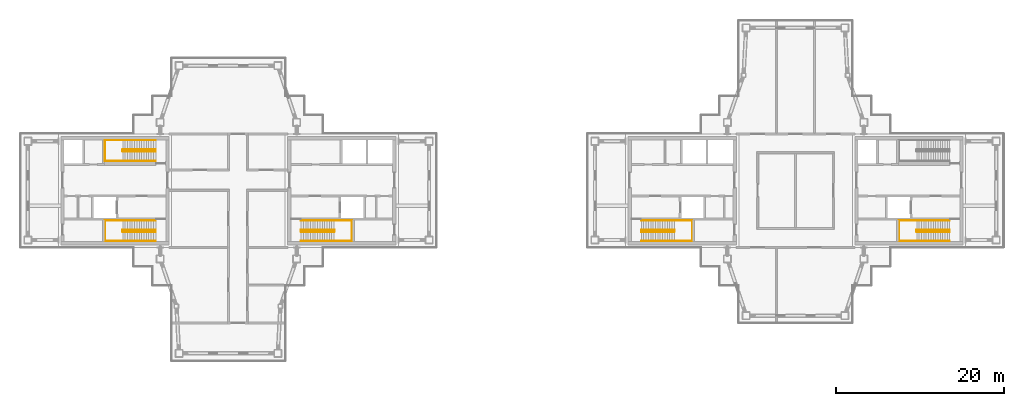
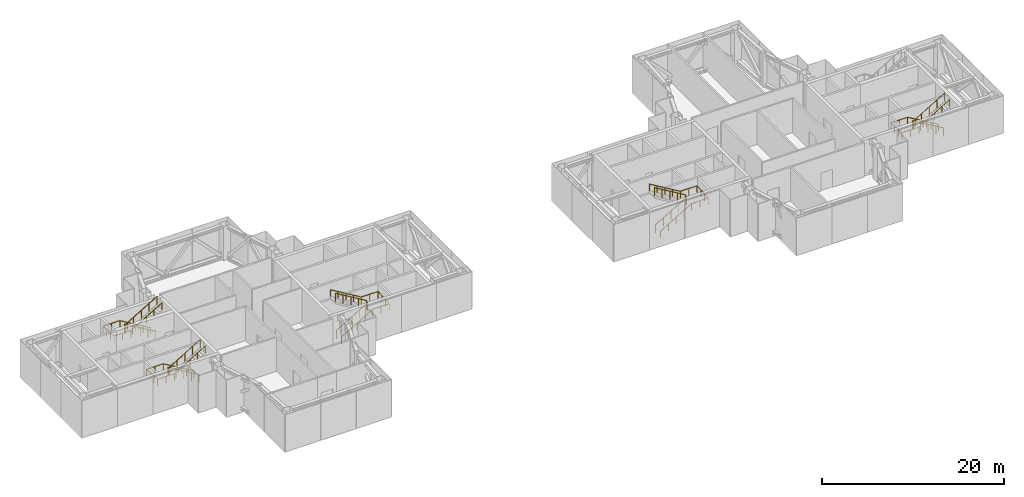
# One storey, part 17 of 18: 10 railings.
"""IFC4 building model written with IfcOpenShell, lengths in metres."""

from ifc_helpers import new_model, si_unit, direction, frame, origin, origin_2d, place, context, subcontext, project, spatial, circle, extrude, material, type_object, element, save


model = new_model("IFC4")

# Units and contexts
model_context = context("Model", 3, precision=1e-05, world=origin(), true_north=direction((0.0, 1.0)))
body_context = subcontext(model_context, "Body", "Model", "MODEL_VIEW")
ifc_project = project(units=[si_unit("LENGTHUNIT", "METRE"), si_unit("AREAUNIT", "SQUARE_METRE"), si_unit("VOLUMEUNIT", "CUBIC_METRE"), si_unit("PLANEANGLEUNIT", "RADIAN"), si_unit("MASSUNIT", "GRAM", prefix="KILO")], contexts=[model_context])

# Site, building, storey
site_placement = place(None, origin())
site = spatial("IfcSite", under=ifc_project, at=site_placement, CompositionType="ELEMENT")
building_placement = place(site_placement, origin())
building = spatial("IfcBuilding", under=site, at=building_placement, Name="Shamsa Quay Exchange Towers", CompositionType="ELEMENT")
storey_placement = place(building_placement, frame((0.0, 0.0, 273.300048828125)))
storey = spatial("IfcBuildingStorey", under=building, at=storey_placement, Name="L66", CompositionType="ELEMENT", Elevation=273.300048828125)

# Railings
ifc_material = material(Name="Stainless steel", Category="steel")
railing_type_1 = type_object("IfcRailingType", Name="STAIR GUARD 1100", PredefinedType="GUARDRAIL", material=ifc_material)
railing_1_placement = place(storey_placement, frame((-25.10009765625, -4.89990234375, 0.16650390625)))
element("IfcRailing", 1, at=railing_1_placement, inside=storey, type_object=railing_type_1, Name="L66 ST1 stair guard 1", PredefinedType="GUARDRAIL", context=body_context, shape_type="SweptSolid", body=[
    extrude(circle(Radius=0.02392578125, at=origin_2d()), frame((0.0, 0.0, 1.076171875), z_axis=(0.859286724212, 0.0, 0.511494208758), x_axis=(0.0, 1.0, 0.0)), (0.0, 0.0, 1.0), 4.56201171875),
    extrude(circle(Radius=0.02392578125, at=origin_2d()), frame((3.920166015625, 0.0, 3.40966796875), z_axis=(0.708833529934, 0.705375805398, 0.0), x_axis=(-0.705375805398, 0.708833529934, 0.0)), (0.0, 0.0, 1.0), 0.070556640625),
    extrude(circle(Radius=0.02392578125, at=origin_2d()), frame((3.97021484375, 0.0498046875, 3.40966796875), z_axis=(0.0, 1.0, 0.0), x_axis=(-1.0, 0.0, 0.0)), (0.0, 0.0, 1.0), 0.150146484375),
    extrude(circle(Radius=0.02392578125, at=origin_2d()), frame((3.97021484375, 0.199951171875, 3.40966796875), z_axis=(-0.27662974545, 0.27662974545, 0.920299933644), x_axis=(-0.707106781187, -0.707106781187, 0.0)), (0.0, 0.0, 1.0), 0.180908203125),
    extrude(circle(Radius=0.02392578125, at=origin_2d()), frame((3.920166015625, 0.25, 3.576171875), z_axis=(-0.859286724212, 0.0, 0.511494208758), x_axis=(0.0, -1.0, 0.0)), (0.0, 0.0, 1.0), 4.56201171875),
    extrude(circle(Radius=0.02099609375, at=origin_2d()), origin(), (0.0, 0.0, 1.0), 1.052001953125),
    extrude(circle(Radius=0.02099609375, at=origin_2d()), frame((0.97998046875, 0.0, 0.58349609375)), (0.0, 0.0, 1.0), 1.052001953125),
    extrude(circle(Radius=0.02099609375, at=origin_2d()), frame((1.9599609375, 0.0, 1.166748046875)), (0.0, 0.0, 1.0), 1.052001953125),
    extrude(circle(Radius=0.02099609375, at=origin_2d()), frame((2.940185546875, 0.0, 1.75)), (0.0, 0.0, 1.0), 1.052001953125),
    extrude(circle(Radius=0.02099609375, at=origin_2d()), frame((3.920166015625, 0.0, 2.33349609375)), (0.0, 0.0, 1.0), 1.052001953125),
    extrude(circle(Radius=0.02099609375, at=origin_2d()), frame((3.97021484375, 0.0498046875, 2.33349609375)), (0.0, 0.0, 1.0), 1.052001953125),
    extrude(circle(Radius=0.02099609375, at=origin_2d()), frame((3.97021484375, 0.199951171875, 2.33349609375)), (0.0, 0.0, 1.0), 1.052001953125),
    extrude(circle(Radius=0.02099609375, at=origin_2d()), frame((3.920166015625, 0.25, 2.5)), (0.0, 0.0, 1.0), 1.052001953125),
    extrude(circle(Radius=0.02099609375, at=origin_2d()), frame((2.940185546875, 0.25, 3.08349609375)), (0.0, 0.0, 1.0), 1.052001953125),
    extrude(circle(Radius=0.02099609375, at=origin_2d()), frame((1.9599609375, 0.25, 3.666748046875)), (0.0, 0.0, 1.0), 1.052001953125),
    extrude(circle(Radius=0.02099609375, at=origin_2d()), frame((0.97998046875, 0.25, 4.25)), (0.0, 0.0, 1.0), 1.052001953125),
    extrude(circle(Radius=0.02099609375, at=origin_2d()), frame((0.0, 0.25, 4.83349609375)), (0.0, 0.0, 1.0), 1.052001953125),
])
railing_2_placement = place(storey_placement, frame((-42.39990234375, -4.64990234375, 0.16650390625)))
element("IfcRailing", 2, at=railing_2_placement, inside=storey, type_object=railing_type_1, Name="L66 ST2 stair guard 1", PredefinedType="GUARDRAIL", context=body_context, shape_type="SweptSolid", body=[
    extrude(circle(Radius=0.02392578125, at=origin_2d()), frame((0.0, 0.0, 1.076171875), z_axis=(-0.859286724212, 0.0, 0.511494208758), x_axis=(0.0, -1.0, 0.0)), (0.0, 0.0, 1.0), 4.56201171875),
    extrude(circle(Radius=0.02392578125, at=origin_2d()), frame((-3.920166015625, 0.0, 3.40966796875), z_axis=(-0.707106781187, -0.707106781187, 0.0), x_axis=(0.707106781187, -0.707106781187, 0.0)), (0.0, 0.0, 1.0), 0.07080078125),
    extrude(circle(Radius=0.02392578125, at=origin_2d()), frame((-3.97021484375, -0.050048828125, 3.40966796875), z_axis=(0.0, -1.0, 0.0), x_axis=(1.0, 0.0, 0.0)), (0.0, 0.0, 1.0), 0.150146484375),
    extrude(circle(Radius=0.02392578125, at=origin_2d()), frame((-3.97021484375, -0.2001953125, 3.40966796875), z_axis=(0.276732813696, -0.275382897532, 0.920642824102), x_axis=(0.705375805398, 0.708833529934, 0.0)), (0.0, 0.0, 1.0), 0.180908203125),
    extrude(circle(Radius=0.02392578125, at=origin_2d()), frame((-3.920166015625, -0.25, 3.576171875), z_axis=(0.859286724212, 0.0, 0.511494208758), x_axis=(0.0, 1.0, 0.0)), (0.0, 0.0, 1.0), 4.56201171875),
    extrude(circle(Radius=0.02099609375, at=origin_2d()), origin(), (0.0, 0.0, 1.0), 1.052001953125),
    extrude(circle(Radius=0.02099609375, at=origin_2d()), frame((-0.97998046875, 0.0, 0.58349609375)), (0.0, 0.0, 1.0), 1.052001953125),
    extrude(circle(Radius=0.02099609375, at=origin_2d()), frame((-1.9599609375, 0.0, 1.166748046875)), (0.0, 0.0, 1.0), 1.052001953125),
    extrude(circle(Radius=0.02099609375, at=origin_2d()), frame((-2.940185546875, 0.0, 1.75)), (0.0, 0.0, 1.0), 1.052001953125),
    extrude(circle(Radius=0.02099609375, at=origin_2d()), frame((-3.920166015625, 0.0, 2.33349609375)), (0.0, 0.0, 1.0), 1.052001953125),
    extrude(circle(Radius=0.02099609375, at=origin_2d()), frame((-3.97021484375, -0.050048828125, 2.33349609375)), (0.0, 0.0, 1.0), 1.052001953125),
    extrude(circle(Radius=0.02099609375, at=origin_2d()), frame((-3.97021484375, -0.2001953125, 2.33349609375)), (0.0, 0.0, 1.0), 1.052001953125),
    extrude(circle(Radius=0.02099609375, at=origin_2d()), frame((-3.920166015625, -0.25, 2.5)), (0.0, 0.0, 1.0), 1.052001953125),
    extrude(circle(Radius=0.02099609375, at=origin_2d()), frame((-2.940185546875, -0.25, 3.08349609375)), (0.0, 0.0, 1.0), 1.052001953125),
    extrude(circle(Radius=0.02099609375, at=origin_2d()), frame((-1.9599609375, -0.25, 3.666748046875)), (0.0, 0.0, 1.0), 1.052001953125),
    extrude(circle(Radius=0.02099609375, at=origin_2d()), frame((-0.97998046875, -0.25, 4.25)), (0.0, 0.0, 1.0), 1.052001953125),
    extrude(circle(Radius=0.02099609375, at=origin_2d()), frame((0.0, -0.25, 4.83349609375)), (0.0, 0.0, 1.0), 1.052001953125),
])
railing_3_placement = place(storey_placement, frame((-42.39990234375, 4.89990234375, 0.16650390625)))
element("IfcRailing", 3, at=railing_3_placement, inside=storey, type_object=railing_type_1, Name="L66 ST3 stair guard 1", PredefinedType="GUARDRAIL", context=body_context, shape_type="SweptSolid", body=[
    extrude(circle(Radius=0.02392578125, at=origin_2d()), frame((0.0, 0.0, 1.076171875), z_axis=(-0.859286724212, 0.0, 0.511494208758), x_axis=(0.0, -1.0, 0.0)), (0.0, 0.0, 1.0), 4.56201171875),
    extrude(circle(Radius=0.02392578125, at=origin_2d()), frame((-3.920166015625, 0.0, 3.40966796875), z_axis=(-0.708833529934, -0.705375805398, 0.0), x_axis=(0.705375805398, -0.708833529934, 0.0)), (0.0, 0.0, 1.0), 0.070556640625),
    extrude(circle(Radius=0.02392578125, at=origin_2d()), frame((-3.97021484375, -0.0498046875, 3.40966796875), z_axis=(0.0, -1.0, 0.0), x_axis=(1.0, 0.0, 0.0)), (0.0, 0.0, 1.0), 0.150146484375),
    extrude(circle(Radius=0.02392578125, at=origin_2d()), frame((-3.97021484375, -0.199951171875, 3.40966796875), z_axis=(0.27662974545, -0.27662974545, 0.920299933644), x_axis=(0.707106781187, 0.707106781187, 0.0)), (0.0, 0.0, 1.0), 0.180908203125),
    extrude(circle(Radius=0.02392578125, at=origin_2d()), frame((-3.920166015625, -0.25, 3.576171875), z_axis=(0.859286724212, 0.0, 0.511494208758), x_axis=(0.0, 1.0, 0.0)), (0.0, 0.0, 1.0), 4.56201171875),
    extrude(circle(Radius=0.02099609375, at=origin_2d()), origin(), (0.0, 0.0, 1.0), 1.052001953125),
    extrude(circle(Radius=0.02099609375, at=origin_2d()), frame((-0.97998046875, 0.0, 0.58349609375)), (0.0, 0.0, 1.0), 1.052001953125),
    extrude(circle(Radius=0.02099609375, at=origin_2d()), frame((-1.9599609375, 0.0, 1.166748046875)), (0.0, 0.0, 1.0), 1.052001953125),
    extrude(circle(Radius=0.02099609375, at=origin_2d()), frame((-2.940185546875, 0.0, 1.75)), (0.0, 0.0, 1.0), 1.052001953125),
    extrude(circle(Radius=0.02099609375, at=origin_2d()), frame((-3.920166015625, 0.0, 2.33349609375)), (0.0, 0.0, 1.0), 1.052001953125),
    extrude(circle(Radius=0.02099609375, at=origin_2d()), frame((-3.97021484375, -0.0498046875, 2.33349609375)), (0.0, 0.0, 1.0), 1.052001953125),
    extrude(circle(Radius=0.02099609375, at=origin_2d()), frame((-3.97021484375, -0.199951171875, 2.33349609375)), (0.0, 0.0, 1.0), 1.052001953125),
    extrude(circle(Radius=0.02099609375, at=origin_2d()), frame((-3.920166015625, -0.25, 2.5)), (0.0, 0.0, 1.0), 1.052001953125),
    extrude(circle(Radius=0.02099609375, at=origin_2d()), frame((-2.940185546875, -0.25, 3.08349609375)), (0.0, 0.0, 1.0), 1.052001953125),
    extrude(circle(Radius=0.02099609375, at=origin_2d()), frame((-1.9599609375, -0.25, 3.666748046875)), (0.0, 0.0, 1.0), 1.052001953125),
    extrude(circle(Radius=0.02099609375, at=origin_2d()), frame((-0.97998046875, -0.25, 4.25)), (0.0, 0.0, 1.0), 1.052001953125),
    extrude(circle(Radius=0.02099609375, at=origin_2d()), frame((0.0, -0.25, 4.83349609375)), (0.0, 0.0, 1.0), 1.052001953125),
])
railing_4_placement = place(storey_placement, frame((15.39990234375, -4.89990234375, 0.16650390625)))
element("IfcRailing", 4, at=railing_4_placement, inside=storey, type_object=railing_type_1, Name="L66 ST4 stair guard 1", PredefinedType="GUARDRAIL", context=body_context, shape_type="SweptSolid", body=[
    extrude(circle(Radius=0.02392578125, at=origin_2d()), frame((0.0, 0.0, 1.076171875), z_axis=(0.859286724212, 0.0, 0.511494208758), x_axis=(0.0, 1.0, 0.0)), (0.0, 0.0, 1.0), 4.56201171875),
    extrude(circle(Radius=0.02392578125, at=origin_2d()), frame((3.920166015625, 0.0, 3.40966796875), z_axis=(0.708833529934, 0.705375805398, 0.0), x_axis=(-0.705375805398, 0.708833529934, 0.0)), (0.0, 0.0, 1.0), 0.070556640625),
    extrude(circle(Radius=0.02392578125, at=origin_2d()), frame((3.97021484375, 0.0498046875, 3.40966796875), z_axis=(0.0, 1.0, 0.0), x_axis=(-1.0, 0.0, 0.0)), (0.0, 0.0, 1.0), 0.150146484375),
    extrude(circle(Radius=0.02392578125, at=origin_2d()), frame((3.97021484375, 0.199951171875, 3.40966796875), z_axis=(-0.27662974545, 0.27662974545, 0.920299933644), x_axis=(-0.707106781187, -0.707106781187, 0.0)), (0.0, 0.0, 1.0), 0.180908203125),
    extrude(circle(Radius=0.02392578125, at=origin_2d()), frame((3.920166015625, 0.25, 3.576171875), z_axis=(-0.859286724212, 0.0, 0.511494208758), x_axis=(0.0, -1.0, 0.0)), (0.0, 0.0, 1.0), 4.56201171875),
    extrude(circle(Radius=0.02099609375, at=origin_2d()), origin(), (0.0, 0.0, 1.0), 1.052001953125),
    extrude(circle(Radius=0.02099609375, at=origin_2d()), frame((0.97998046875, 0.0, 0.58349609375)), (0.0, 0.0, 1.0), 1.052001953125),
    extrude(circle(Radius=0.02099609375, at=origin_2d()), frame((1.9599609375, 0.0, 1.166748046875)), (0.0, 0.0, 1.0), 1.052001953125),
    extrude(circle(Radius=0.02099609375, at=origin_2d()), frame((2.940185546875, 0.0, 1.75)), (0.0, 0.0, 1.0), 1.052001953125),
    extrude(circle(Radius=0.02099609375, at=origin_2d()), frame((3.920166015625, 0.0, 2.33349609375)), (0.0, 0.0, 1.0), 1.052001953125),
    extrude(circle(Radius=0.02099609375, at=origin_2d()), frame((3.97021484375, 0.0498046875, 2.33349609375)), (0.0, 0.0, 1.0), 1.052001953125),
    extrude(circle(Radius=0.02099609375, at=origin_2d()), frame((3.97021484375, 0.199951171875, 2.33349609375)), (0.0, 0.0, 1.0), 1.052001953125),
    extrude(circle(Radius=0.02099609375, at=origin_2d()), frame((3.920166015625, 0.25, 2.5)), (0.0, 0.0, 1.0), 1.052001953125),
    extrude(circle(Radius=0.02099609375, at=origin_2d()), frame((2.940185546875, 0.25, 3.08349609375)), (0.0, 0.0, 1.0), 1.052001953125),
    extrude(circle(Radius=0.02099609375, at=origin_2d()), frame((1.9599609375, 0.25, 3.666748046875)), (0.0, 0.0, 1.0), 1.052001953125),
    extrude(circle(Radius=0.02099609375, at=origin_2d()), frame((0.97998046875, 0.25, 4.25)), (0.0, 0.0, 1.0), 1.052001953125),
    extrude(circle(Radius=0.02099609375, at=origin_2d()), frame((0.0, 0.25, 4.83349609375)), (0.0, 0.0, 1.0), 1.052001953125),
])
railing_5_placement = place(storey_placement, frame((52.10009765625, -4.64990234375, 0.16650390625)))
element("IfcRailing", 5, at=railing_5_placement, inside=storey, type_object=railing_type_1, Name="L66 ST5 stair guard 1", PredefinedType="GUARDRAIL", context=body_context, shape_type="SweptSolid", body=[
    extrude(circle(Radius=0.02392578125, at=origin_2d()), frame((0.0, 0.0, 1.076171875), z_axis=(-0.859286724212, 0.0, 0.511494208758), x_axis=(0.0, -1.0, 0.0)), (0.0, 0.0, 1.0), 4.56201171875),
    extrude(circle(Radius=0.02392578125, at=origin_2d()), frame((-3.920166015625, 0.0, 3.40966796875), z_axis=(-0.707106781187, -0.707106781187, 0.0), x_axis=(0.707106781187, -0.707106781187, 0.0)), (0.0, 0.0, 1.0), 0.07080078125),
    extrude(circle(Radius=0.02392578125, at=origin_2d()), frame((-3.97021484375, -0.050048828125, 3.40966796875), z_axis=(0.0, -1.0, 0.0), x_axis=(1.0, 0.0, 0.0)), (0.0, 0.0, 1.0), 0.150146484375),
    extrude(circle(Radius=0.02392578125, at=origin_2d()), frame((-3.97021484375, -0.2001953125, 3.40966796875), z_axis=(0.276732813696, -0.275382897532, 0.920642824102), x_axis=(0.705375805398, 0.708833529934, 0.0)), (0.0, 0.0, 1.0), 0.180908203125),
    extrude(circle(Radius=0.02392578125, at=origin_2d()), frame((-3.920166015625, -0.25, 3.576171875), z_axis=(0.859286724212, 0.0, 0.511494208758), x_axis=(0.0, 1.0, 0.0)), (0.0, 0.0, 1.0), 4.56201171875),
    extrude(circle(Radius=0.02099609375, at=origin_2d()), origin(), (0.0, 0.0, 1.0), 1.052001953125),
    extrude(circle(Radius=0.02099609375, at=origin_2d()), frame((-0.97998046875, 0.0, 0.58349609375)), (0.0, 0.0, 1.0), 1.052001953125),
    extrude(circle(Radius=0.02099609375, at=origin_2d()), frame((-1.9599609375, 0.0, 1.166748046875)), (0.0, 0.0, 1.0), 1.052001953125),
    extrude(circle(Radius=0.02099609375, at=origin_2d()), frame((-2.940185546875, 0.0, 1.75)), (0.0, 0.0, 1.0), 1.052001953125),
    extrude(circle(Radius=0.02099609375, at=origin_2d()), frame((-3.920166015625, 0.0, 2.33349609375)), (0.0, 0.0, 1.0), 1.052001953125),
    extrude(circle(Radius=0.02099609375, at=origin_2d()), frame((-3.97021484375, -0.050048828125, 2.33349609375)), (0.0, 0.0, 1.0), 1.052001953125),
    extrude(circle(Radius=0.02099609375, at=origin_2d()), frame((-3.97021484375, -0.2001953125, 2.33349609375)), (0.0, 0.0, 1.0), 1.052001953125),
    extrude(circle(Radius=0.02099609375, at=origin_2d()), frame((-3.920166015625, -0.25, 2.5)), (0.0, 0.0, 1.0), 1.052001953125),
    extrude(circle(Radius=0.02099609375, at=origin_2d()), frame((-2.940185546875, -0.25, 3.08349609375)), (0.0, 0.0, 1.0), 1.052001953125),
    extrude(circle(Radius=0.02099609375, at=origin_2d()), frame((-1.9599609375, -0.25, 3.666748046875)), (0.0, 0.0, 1.0), 1.052001953125),
    extrude(circle(Radius=0.02099609375, at=origin_2d()), frame((-0.97998046875, -0.25, 4.25)), (0.0, 0.0, 1.0), 1.052001953125),
    extrude(circle(Radius=0.02099609375, at=origin_2d()), frame((0.0, -0.25, 4.83349609375)), (0.0, 0.0, 1.0), 1.052001953125),
])
railing_type_2 = type_object("IfcRailingType", Name="STAIR HANDRAIL 900", PredefinedType="HANDRAIL", material=ifc_material)
railing_6_placement = place(storey_placement, frame((-25.10009765625, -6.0, 0.16650390625)))
element("IfcRailing", 6, at=railing_6_placement, inside=storey, type_object=railing_type_2, Name="L66 ST1 stair handrail 1", PredefinedType="HANDRAIL", context=body_context, shape_type="SweptSolid", body=[
    extrude(circle(Radius=0.02392578125, at=origin_2d()), frame((0.0, 0.0, 0.8759765625), z_axis=(0.859286724212, 0.0, 0.511494208758), x_axis=(0.0, 1.0, 0.0)), (0.0, 0.0, 1.0), 4.56201171875),
    extrude(circle(Radius=0.02392578125, at=origin_2d()), frame((3.920166015625, 0.0, 3.20947265625), z_axis=(1.0, 0.0, 0.0), x_axis=(0.0, 1.0, 0.0)), (0.0, 0.0, 1.0), 2.1298828125),
    extrude(circle(Radius=0.02392578125, at=origin_2d()), frame((6.050048828125, 0.0, 3.20947265625), z_axis=(0.0, 0.997698543772, 0.067805720663), x_axis=(-1.0, 0.0, 0.0)), (0.0, 0.0, 1.0), 2.45556640625),
    extrude(circle(Radius=0.02392578125, at=origin_2d()), frame((6.050048828125, 2.449951171875, 3.3759765625), z_axis=(-1.0, 0.0, 0.0), x_axis=(0.0, -1.0, 0.0)), (0.0, 0.0, 1.0), 2.1298828125),
    extrude(circle(Radius=0.02392578125, at=origin_2d()), frame((3.920166015625, 2.449951171875, 3.3759765625), z_axis=(-0.859286724212, 0.0, 0.511494208758), x_axis=(0.0, -1.0, 0.0)), (0.0, 0.0, 1.0), 4.56201171875),
    extrude(circle(Radius=0.02099609375, at=origin_2d()), origin(), (0.0, 0.0, 1.0), 0.851806640625),
    extrude(circle(Radius=0.02099609375, at=origin_2d()), frame((0.97998046875, 0.0, 0.58349609375)), (0.0, 0.0, 1.0), 0.851806640625),
    extrude(circle(Radius=0.02099609375, at=origin_2d()), frame((1.9599609375, 0.0, 1.166748046875)), (0.0, 0.0, 1.0), 0.851806640625),
    extrude(circle(Radius=0.02099609375, at=origin_2d()), frame((2.940185546875, 0.0, 1.75)), (0.0, 0.0, 1.0), 0.851806640625),
    extrude(circle(Radius=0.02099609375, at=origin_2d()), frame((3.920166015625, 0.0, 2.33349609375)), (0.0, 0.0, 1.0), 0.851806640625),
    extrude(circle(Radius=0.02099609375, at=origin_2d()), frame((4.985107421875, 0.0, 2.33349609375)), (0.0, 0.0, 1.0), 0.851806640625),
    extrude(circle(Radius=0.02099609375, at=origin_2d()), frame((6.050048828125, 0.0, 2.33349609375)), (0.0, 0.0, 1.0), 0.851806640625),
    extrude(circle(Radius=0.02099609375, at=origin_2d()), frame((6.050048828125, 0.816650390625, 2.388916015625)), (0.0, 0.0, 1.0), 0.851806640625),
    extrude(circle(Radius=0.02099609375, at=origin_2d()), frame((6.050048828125, 1.63330078125, 2.444580078125)), (0.0, 0.0, 1.0), 0.851806640625),
    extrude(circle(Radius=0.02099609375, at=origin_2d()), frame((6.050048828125, 2.449951171875, 2.5)), (0.0, 0.0, 1.0), 0.851806640625),
    extrude(circle(Radius=0.02099609375, at=origin_2d()), frame((4.985107421875, 2.449951171875, 2.5)), (0.0, 0.0, 1.0), 0.851806640625),
    extrude(circle(Radius=0.02099609375, at=origin_2d()), frame((3.920166015625, 2.449951171875, 2.5)), (0.0, 0.0, 1.0), 0.851806640625),
    extrude(circle(Radius=0.02099609375, at=origin_2d()), frame((2.940185546875, 2.449951171875, 3.08349609375)), (0.0, 0.0, 1.0), 0.851806640625),
    extrude(circle(Radius=0.02099609375, at=origin_2d()), frame((1.9599609375, 2.449951171875, 3.666748046875)), (0.0, 0.0, 1.0), 0.851806640625),
    extrude(circle(Radius=0.02099609375, at=origin_2d()), frame((0.97998046875, 2.449951171875, 4.25)), (0.0, 0.0, 1.0), 0.851806640625),
    extrude(circle(Radius=0.02099609375, at=origin_2d()), frame((0.0, 2.449951171875, 4.83349609375)), (0.0, 0.0, 1.0), 0.851806640625),
])
railing_7_placement = place(storey_placement, frame((-42.39990234375, -3.550048828125, 0.16650390625)))
element("IfcRailing", 7, at=railing_7_placement, inside=storey, type_object=railing_type_2, Name="L66 ST2 stair handrail 1", PredefinedType="HANDRAIL", context=body_context, shape_type="SweptSolid", body=[
    extrude(circle(Radius=0.02392578125, at=origin_2d()), frame((0.0, 0.0, 0.8759765625), z_axis=(-0.859286724212, 0.0, 0.511494208758), x_axis=(0.0, -1.0, 0.0)), (0.0, 0.0, 1.0), 4.56201171875),
    extrude(circle(Radius=0.02392578125, at=origin_2d()), frame((-3.920166015625, 0.0, 3.20947265625), z_axis=(-1.0, 0.0, 0.0), x_axis=(0.0, -1.0, 0.0)), (0.0, 0.0, 1.0), 2.1298828125),
    extrude(circle(Radius=0.02392578125, at=origin_2d()), frame((-6.050048828125, 0.0, 3.20947265625), z_axis=(0.0, -0.997698543772, 0.067805720663), x_axis=(1.0, 0.0, 0.0)), (0.0, 0.0, 1.0), 2.45556640625),
    extrude(circle(Radius=0.02392578125, at=origin_2d()), frame((-6.050048828125, -2.449951171875, 3.3759765625), z_axis=(1.0, 0.0, 0.0), x_axis=(0.0, 1.0, 0.0)), (0.0, 0.0, 1.0), 2.1298828125),
    extrude(circle(Radius=0.02392578125, at=origin_2d()), frame((-3.920166015625, -2.449951171875, 3.3759765625), z_axis=(0.859286724212, 0.0, 0.511494208758), x_axis=(0.0, 1.0, 0.0)), (0.0, 0.0, 1.0), 4.56201171875),
    extrude(circle(Radius=0.02099609375, at=origin_2d()), origin(), (0.0, 0.0, 1.0), 0.851806640625),
    extrude(circle(Radius=0.02099609375, at=origin_2d()), frame((-0.97998046875, 0.0, 0.58349609375)), (0.0, 0.0, 1.0), 0.851806640625),
    extrude(circle(Radius=0.02099609375, at=origin_2d()), frame((-1.9599609375, 0.0, 1.166748046875)), (0.0, 0.0, 1.0), 0.851806640625),
    extrude(circle(Radius=0.02099609375, at=origin_2d()), frame((-2.940185546875, 0.0, 1.75)), (0.0, 0.0, 1.0), 0.851806640625),
    extrude(circle(Radius=0.02099609375, at=origin_2d()), frame((-3.920166015625, 0.0, 2.33349609375)), (0.0, 0.0, 1.0), 0.851806640625),
    extrude(circle(Radius=0.02099609375, at=origin_2d()), frame((-4.985107421875, 0.0, 2.33349609375)), (0.0, 0.0, 1.0), 0.851806640625),
    extrude(circle(Radius=0.02099609375, at=origin_2d()), frame((-6.050048828125, 0.0, 2.33349609375)), (0.0, 0.0, 1.0), 0.851806640625),
    extrude(circle(Radius=0.02099609375, at=origin_2d()), frame((-6.050048828125, -0.816650390625, 2.388916015625)), (0.0, 0.0, 1.0), 0.851806640625),
    extrude(circle(Radius=0.02099609375, at=origin_2d()), frame((-6.050048828125, -1.63330078125, 2.444580078125)), (0.0, 0.0, 1.0), 0.851806640625),
    extrude(circle(Radius=0.02099609375, at=origin_2d()), frame((-6.050048828125, -2.449951171875, 2.5)), (0.0, 0.0, 1.0), 0.851806640625),
    extrude(circle(Radius=0.02099609375, at=origin_2d()), frame((-4.985107421875, -2.449951171875, 2.5)), (0.0, 0.0, 1.0), 0.851806640625),
    extrude(circle(Radius=0.02099609375, at=origin_2d()), frame((-3.920166015625, -2.449951171875, 2.5)), (0.0, 0.0, 1.0), 0.851806640625),
    extrude(circle(Radius=0.02099609375, at=origin_2d()), frame((-2.940185546875, -2.449951171875, 3.08349609375)), (0.0, 0.0, 1.0), 0.851806640625),
    extrude(circle(Radius=0.02099609375, at=origin_2d()), frame((-1.9599609375, -2.449951171875, 3.666748046875)), (0.0, 0.0, 1.0), 0.851806640625),
    extrude(circle(Radius=0.02099609375, at=origin_2d()), frame((-0.97998046875, -2.449951171875, 4.25)), (0.0, 0.0, 1.0), 0.851806640625),
    extrude(circle(Radius=0.02099609375, at=origin_2d()), frame((0.0, -2.449951171875, 4.83349609375)), (0.0, 0.0, 1.0), 0.851806640625),
])
railing_8_placement = place(storey_placement, frame((-42.39990234375, 6.0, 0.16650390625)))
element("IfcRailing", 8, at=railing_8_placement, inside=storey, type_object=railing_type_2, Name="L66 ST3 stair handrail 1", PredefinedType="HANDRAIL", context=body_context, shape_type="SweptSolid", body=[
    extrude(circle(Radius=0.02392578125, at=origin_2d()), frame((0.0, 0.0, 0.8759765625), z_axis=(-0.859286724212, 0.0, 0.511494208758), x_axis=(0.0, -1.0, 0.0)), (0.0, 0.0, 1.0), 4.56201171875),
    extrude(circle(Radius=0.02392578125, at=origin_2d()), frame((-3.920166015625, 0.0, 3.20947265625), z_axis=(-1.0, 0.0, 0.0), x_axis=(0.0, -1.0, 0.0)), (0.0, 0.0, 1.0), 2.1298828125),
    extrude(circle(Radius=0.02392578125, at=origin_2d()), frame((-6.050048828125, 0.0, 3.20947265625), z_axis=(0.0, -0.997698543772, 0.067805720663), x_axis=(1.0, 0.0, 0.0)), (0.0, 0.0, 1.0), 2.45556640625),
    extrude(circle(Radius=0.02392578125, at=origin_2d()), frame((-6.050048828125, -2.449951171875, 3.3759765625), z_axis=(1.0, 0.0, 0.0), x_axis=(0.0, 1.0, 0.0)), (0.0, 0.0, 1.0), 2.1298828125),
    extrude(circle(Radius=0.02392578125, at=origin_2d()), frame((-3.920166015625, -2.449951171875, 3.3759765625), z_axis=(0.859286724212, 0.0, 0.511494208758), x_axis=(0.0, 1.0, 0.0)), (0.0, 0.0, 1.0), 4.56201171875),
    extrude(circle(Radius=0.02099609375, at=origin_2d()), origin(), (0.0, 0.0, 1.0), 0.851806640625),
    extrude(circle(Radius=0.02099609375, at=origin_2d()), frame((-0.97998046875, 0.0, 0.58349609375)), (0.0, 0.0, 1.0), 0.851806640625),
    extrude(circle(Radius=0.02099609375, at=origin_2d()), frame((-1.9599609375, 0.0, 1.166748046875)), (0.0, 0.0, 1.0), 0.851806640625),
    extrude(circle(Radius=0.02099609375, at=origin_2d()), frame((-2.940185546875, 0.0, 1.75)), (0.0, 0.0, 1.0), 0.851806640625),
    extrude(circle(Radius=0.02099609375, at=origin_2d()), frame((-3.920166015625, 0.0, 2.33349609375)), (0.0, 0.0, 1.0), 0.851806640625),
    extrude(circle(Radius=0.02099609375, at=origin_2d()), frame((-4.985107421875, 0.0, 2.33349609375)), (0.0, 0.0, 1.0), 0.851806640625),
    extrude(circle(Radius=0.02099609375, at=origin_2d()), frame((-6.050048828125, 0.0, 2.33349609375)), (0.0, 0.0, 1.0), 0.851806640625),
    extrude(circle(Radius=0.02099609375, at=origin_2d()), frame((-6.050048828125, -0.816650390625, 2.388916015625)), (0.0, 0.0, 1.0), 0.851806640625),
    extrude(circle(Radius=0.02099609375, at=origin_2d()), frame((-6.050048828125, -1.63330078125, 2.444580078125)), (0.0, 0.0, 1.0), 0.851806640625),
    extrude(circle(Radius=0.02099609375, at=origin_2d()), frame((-6.050048828125, -2.449951171875, 2.5)), (0.0, 0.0, 1.0), 0.851806640625),
    extrude(circle(Radius=0.02099609375, at=origin_2d()), frame((-4.985107421875, -2.449951171875, 2.5)), (0.0, 0.0, 1.0), 0.851806640625),
    extrude(circle(Radius=0.02099609375, at=origin_2d()), frame((-3.920166015625, -2.449951171875, 2.5)), (0.0, 0.0, 1.0), 0.851806640625),
    extrude(circle(Radius=0.02099609375, at=origin_2d()), frame((-2.940185546875, -2.449951171875, 3.08349609375)), (0.0, 0.0, 1.0), 0.851806640625),
    extrude(circle(Radius=0.02099609375, at=origin_2d()), frame((-1.9599609375, -2.449951171875, 3.666748046875)), (0.0, 0.0, 1.0), 0.851806640625),
    extrude(circle(Radius=0.02099609375, at=origin_2d()), frame((-0.97998046875, -2.449951171875, 4.25)), (0.0, 0.0, 1.0), 0.851806640625),
    extrude(circle(Radius=0.02099609375, at=origin_2d()), frame((0.0, -2.449951171875, 4.83349609375)), (0.0, 0.0, 1.0), 0.851806640625),
])
railing_9_placement = place(storey_placement, frame((15.39990234375, -6.0, 0.16650390625)))
element("IfcRailing", 9, at=railing_9_placement, inside=storey, type_object=railing_type_2, Name="L66 ST4 stair handrail 1", PredefinedType="HANDRAIL", context=body_context, shape_type="SweptSolid", body=[
    extrude(circle(Radius=0.02392578125, at=origin_2d()), frame((0.0, 0.0, 0.8759765625), z_axis=(0.859286724212, 0.0, 0.511494208758), x_axis=(0.0, 1.0, 0.0)), (0.0, 0.0, 1.0), 4.56201171875),
    extrude(circle(Radius=0.02392578125, at=origin_2d()), frame((3.920166015625, 0.0, 3.20947265625), z_axis=(1.0, 0.0, 0.0), x_axis=(0.0, 1.0, 0.0)), (0.0, 0.0, 1.0), 2.1298828125),
    extrude(circle(Radius=0.02392578125, at=origin_2d()), frame((6.050048828125, 0.0, 3.20947265625), z_axis=(0.0, 0.997698543772, 0.067805720663), x_axis=(-1.0, 0.0, 0.0)), (0.0, 0.0, 1.0), 2.45556640625),
    extrude(circle(Radius=0.02392578125, at=origin_2d()), frame((6.050048828125, 2.449951171875, 3.3759765625), z_axis=(-1.0, 0.0, 0.0), x_axis=(0.0, -1.0, 0.0)), (0.0, 0.0, 1.0), 2.1298828125),
    extrude(circle(Radius=0.02392578125, at=origin_2d()), frame((3.920166015625, 2.449951171875, 3.3759765625), z_axis=(-0.859286724212, 0.0, 0.511494208758), x_axis=(0.0, -1.0, 0.0)), (0.0, 0.0, 1.0), 4.56201171875),
    extrude(circle(Radius=0.02099609375, at=origin_2d()), origin(), (0.0, 0.0, 1.0), 0.851806640625),
    extrude(circle(Radius=0.02099609375, at=origin_2d()), frame((0.97998046875, 0.0, 0.58349609375)), (0.0, 0.0, 1.0), 0.851806640625),
    extrude(circle(Radius=0.02099609375, at=origin_2d()), frame((1.9599609375, 0.0, 1.166748046875)), (0.0, 0.0, 1.0), 0.851806640625),
    extrude(circle(Radius=0.02099609375, at=origin_2d()), frame((2.940185546875, 0.0, 1.75)), (0.0, 0.0, 1.0), 0.851806640625),
    extrude(circle(Radius=0.02099609375, at=origin_2d()), frame((3.920166015625, 0.0, 2.33349609375)), (0.0, 0.0, 1.0), 0.851806640625),
    extrude(circle(Radius=0.02099609375, at=origin_2d()), frame((4.985107421875, 0.0, 2.33349609375)), (0.0, 0.0, 1.0), 0.851806640625),
    extrude(circle(Radius=0.02099609375, at=origin_2d()), frame((6.050048828125, 0.0, 2.33349609375)), (0.0, 0.0, 1.0), 0.851806640625),
    extrude(circle(Radius=0.02099609375, at=origin_2d()), frame((6.050048828125, 0.816650390625, 2.388916015625)), (0.0, 0.0, 1.0), 0.851806640625),
    extrude(circle(Radius=0.02099609375, at=origin_2d()), frame((6.050048828125, 1.63330078125, 2.444580078125)), (0.0, 0.0, 1.0), 0.851806640625),
    extrude(circle(Radius=0.02099609375, at=origin_2d()), frame((6.050048828125, 2.449951171875, 2.5)), (0.0, 0.0, 1.0), 0.851806640625),
    extrude(circle(Radius=0.02099609375, at=origin_2d()), frame((4.985107421875, 2.449951171875, 2.5)), (0.0, 0.0, 1.0), 0.851806640625),
    extrude(circle(Radius=0.02099609375, at=origin_2d()), frame((3.920166015625, 2.449951171875, 2.5)), (0.0, 0.0, 1.0), 0.851806640625),
    extrude(circle(Radius=0.02099609375, at=origin_2d()), frame((2.940185546875, 2.449951171875, 3.08349609375)), (0.0, 0.0, 1.0), 0.851806640625),
    extrude(circle(Radius=0.02099609375, at=origin_2d()), frame((1.9599609375, 2.449951171875, 3.666748046875)), (0.0, 0.0, 1.0), 0.851806640625),
    extrude(circle(Radius=0.02099609375, at=origin_2d()), frame((0.97998046875, 2.449951171875, 4.25)), (0.0, 0.0, 1.0), 0.851806640625),
    extrude(circle(Radius=0.02099609375, at=origin_2d()), frame((0.0, 2.449951171875, 4.83349609375)), (0.0, 0.0, 1.0), 0.851806640625),
])
railing_10_placement = place(storey_placement, frame((52.10009765625, -3.550048828125, 0.16650390625)))
element("IfcRailing", 10, at=railing_10_placement, inside=storey, type_object=railing_type_2, Name="L66 ST5 stair handrail 1", PredefinedType="HANDRAIL", context=body_context, shape_type="SweptSolid", body=[
    extrude(circle(Radius=0.02392578125, at=origin_2d()), frame((0.0, 0.0, 0.8759765625), z_axis=(-0.859286724212, 0.0, 0.511494208758), x_axis=(0.0, -1.0, 0.0)), (0.0, 0.0, 1.0), 4.56201171875),
    extrude(circle(Radius=0.02392578125, at=origin_2d()), frame((-3.920166015625, 0.0, 3.20947265625), z_axis=(-1.0, 0.0, 0.0), x_axis=(0.0, -1.0, 0.0)), (0.0, 0.0, 1.0), 2.1298828125),
    extrude(circle(Radius=0.02392578125, at=origin_2d()), frame((-6.050048828125, 0.0, 3.20947265625), z_axis=(0.0, -0.997698543772, 0.067805720663), x_axis=(1.0, 0.0, 0.0)), (0.0, 0.0, 1.0), 2.45556640625),
    extrude(circle(Radius=0.02392578125, at=origin_2d()), frame((-6.050048828125, -2.449951171875, 3.3759765625), z_axis=(1.0, 0.0, 0.0), x_axis=(0.0, 1.0, 0.0)), (0.0, 0.0, 1.0), 2.1298828125),
    extrude(circle(Radius=0.02392578125, at=origin_2d()), frame((-3.920166015625, -2.449951171875, 3.3759765625), z_axis=(0.859286724212, 0.0, 0.511494208758), x_axis=(0.0, 1.0, 0.0)), (0.0, 0.0, 1.0), 4.56201171875),
    extrude(circle(Radius=0.02099609375, at=origin_2d()), origin(), (0.0, 0.0, 1.0), 0.851806640625),
    extrude(circle(Radius=0.02099609375, at=origin_2d()), frame((-0.97998046875, 0.0, 0.58349609375)), (0.0, 0.0, 1.0), 0.851806640625),
    extrude(circle(Radius=0.02099609375, at=origin_2d()), frame((-1.9599609375, 0.0, 1.166748046875)), (0.0, 0.0, 1.0), 0.851806640625),
    extrude(circle(Radius=0.02099609375, at=origin_2d()), frame((-2.940185546875, 0.0, 1.75)), (0.0, 0.0, 1.0), 0.851806640625),
    extrude(circle(Radius=0.02099609375, at=origin_2d()), frame((-3.920166015625, 0.0, 2.33349609375)), (0.0, 0.0, 1.0), 0.851806640625),
    extrude(circle(Radius=0.02099609375, at=origin_2d()), frame((-4.985107421875, 0.0, 2.33349609375)), (0.0, 0.0, 1.0), 0.851806640625),
    extrude(circle(Radius=0.02099609375, at=origin_2d()), frame((-6.050048828125, 0.0, 2.33349609375)), (0.0, 0.0, 1.0), 0.851806640625),
    extrude(circle(Radius=0.02099609375, at=origin_2d()), frame((-6.050048828125, -0.816650390625, 2.388916015625)), (0.0, 0.0, 1.0), 0.851806640625),
    extrude(circle(Radius=0.02099609375, at=origin_2d()), frame((-6.050048828125, -1.63330078125, 2.444580078125)), (0.0, 0.0, 1.0), 0.851806640625),
    extrude(circle(Radius=0.02099609375, at=origin_2d()), frame((-6.050048828125, -2.449951171875, 2.5)), (0.0, 0.0, 1.0), 0.851806640625),
    extrude(circle(Radius=0.02099609375, at=origin_2d()), frame((-4.985107421875, -2.449951171875, 2.5)), (0.0, 0.0, 1.0), 0.851806640625),
    extrude(circle(Radius=0.02099609375, at=origin_2d()), frame((-3.920166015625, -2.449951171875, 2.5)), (0.0, 0.0, 1.0), 0.851806640625),
    extrude(circle(Radius=0.02099609375, at=origin_2d()), frame((-2.940185546875, -2.449951171875, 3.08349609375)), (0.0, 0.0, 1.0), 0.851806640625),
    extrude(circle(Radius=0.02099609375, at=origin_2d()), frame((-1.9599609375, -2.449951171875, 3.666748046875)), (0.0, 0.0, 1.0), 0.851806640625),
    extrude(circle(Radius=0.02099609375, at=origin_2d()), frame((-0.97998046875, -2.449951171875, 4.25)), (0.0, 0.0, 1.0), 0.851806640625),
    extrude(circle(Radius=0.02099609375, at=origin_2d()), frame((0.0, -2.449951171875, 4.83349609375)), (0.0, 0.0, 1.0), 0.851806640625),
])

save(model, "model.ifc")
